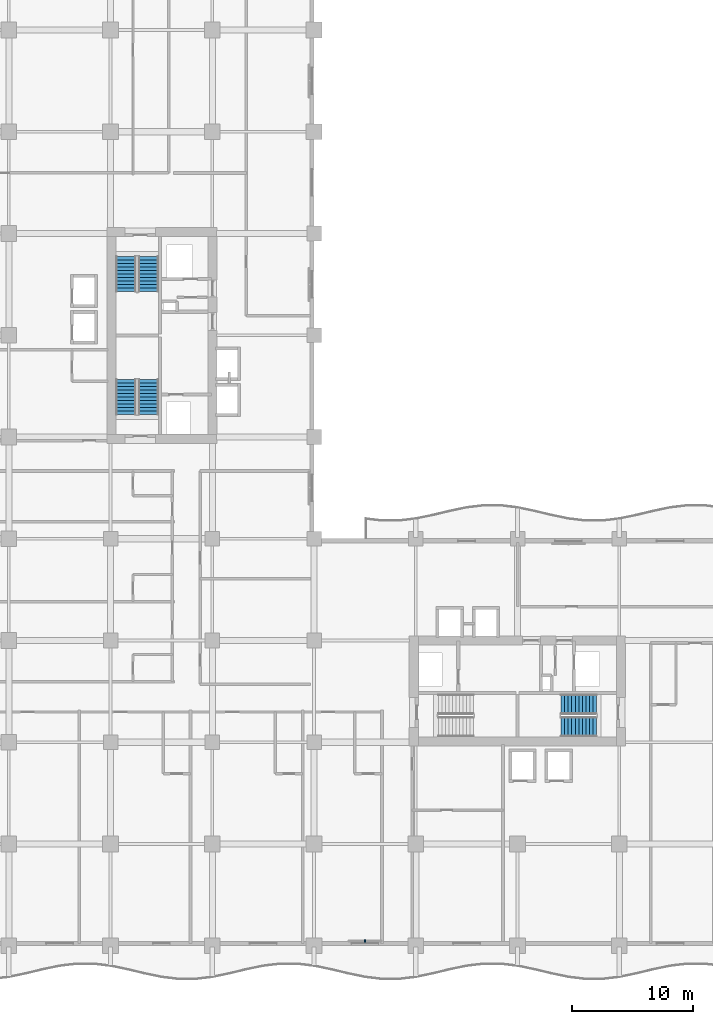
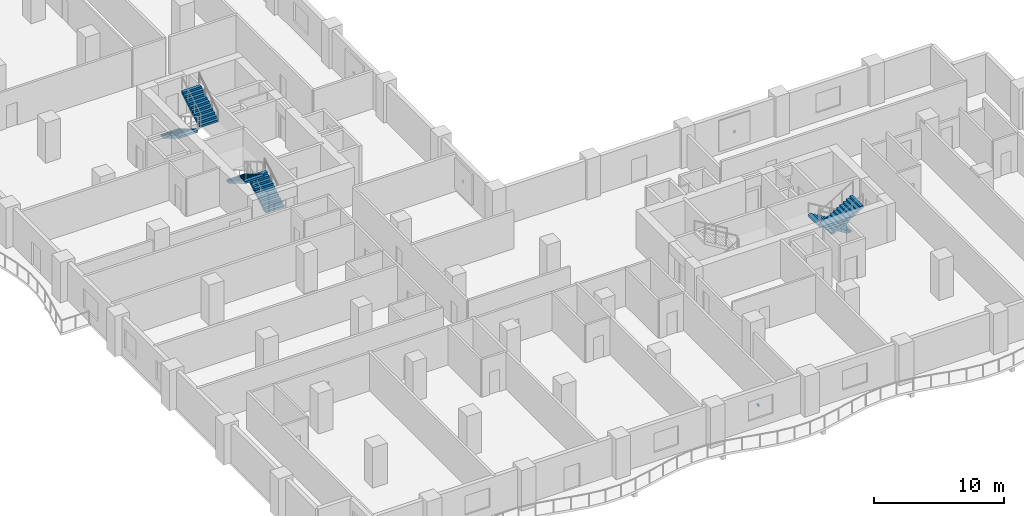
# One storey, part 12 of 18: 6 stair flights, 1 discrete accessory, 3 elements without a shape of their own.
"""IFC4 building model written with IfcOpenShell, lengths in metres."""

from ifc_helpers import new_model, si_unit, direction, frame, origin, origin_2d, place, context, subcontext, project, spatial, polyline, rectangle, outline, extrude, material, type_object, element, aggregate, save


model = new_model("IFC4")

# Units and contexts
model_context = context("Model", 3, precision=1e-05, world=origin(), true_north=direction((0.0, 1.0)))
body_context = subcontext(model_context, "Body", "Model", "MODEL_VIEW")
ifc_project = project(units=[si_unit("LENGTHUNIT", "METRE"), si_unit("AREAUNIT", "SQUARE_METRE"), si_unit("VOLUMEUNIT", "CUBIC_METRE"), si_unit("PLANEANGLEUNIT", "RADIAN"), si_unit("MASSUNIT", "GRAM", prefix="KILO")], contexts=[model_context])

# Site, building, storey
site_placement = place(None, origin())
site = spatial("IfcSite", under=ifc_project, at=site_placement, CompositionType="ELEMENT")
building_placement = place(site_placement, origin())
building = spatial("IfcBuilding", under=site, at=building_placement, Name="Koriwani Terraces Tower", CompositionType="ELEMENT")
storey_placement = place(building_placement, frame((0.0, 0.0, 115.199951171875)))
storey = spatial("IfcBuildingStorey", under=building, at=storey_placement, Name="L27", CompositionType="ELEMENT", Elevation=115.199951171875)

# Stair, stair flights
ifc_material_1 = material(Name="Concrete C40/50", Category="concrete")
stair_type = type_object("IfcStairType", Name="STAIR_CORE_DOGLEG_1650", PredefinedType="TWO_STRAIGHT_RUN_STAIR", material=ifc_material_1)
stair_1_placement = place(storey_placement, origin())
stair_1 = element("IfcStair", 1, at=stair_1_placement, inside=storey, type_object=stair_type, Name="L27 West Core Exit Stair 1", PredefinedType="HALF_TURN_STAIR")
stair_flight_type = type_object("IfcStairFlightType", Name="STAIR_FLIGHT_RC_1650", PredefinedType="STRAIGHT", material=ifc_material_1)
stair_flight_1_placement = place(storey_placement, frame((19.925048828125, 43.85009765625, 0.0), z_axis=(0.0, 0.0, 1.0), x_axis=(0.0, 1.0, 0.0)))
stair_flight_1 = element("IfcStairFlight", 2, at=stair_flight_1_placement, type_object=stair_flight_type, Name="ST-W1 flight 1", NumberOfRisers=11, NumberOfTreads=10, PredefinedType="STRAIGHT", RiserHeight=0.172727273, TreadLength=0.29, context=body_context, shape_type="SweptSolid", body=[
    extrude(outline(polyline([(0.0, 0.0), (0.0, 0.172607421875), (0.2900390625, 0.172607421875), (0.2900390625, 0.345458984375), (0.580078125, 0.345458984375), (0.580078125, 0.51806640625), (0.8701171875, 0.51806640625), (0.8701171875, 0.69091796875), (1.159912109375, 0.69091796875), (1.159912109375, 0.863525390625), (1.449951171875, 0.863525390625), (1.449951171875, 1.036376953125), (1.739990234375, 1.036376953125), (1.739990234375, 1.208984375), (2.030029296875, 1.208984375), (2.030029296875, 1.3818359375), (2.320068359375, 1.3818359375), (2.320068359375, 1.554443359375), (2.610107421875, 1.554443359375), (2.610107421875, 1.727294921875), (2.89990234375, 1.727294921875), (2.89990234375, 1.89990234375), (2.89990234375, 1.517822265625), (0.3515625, 0.0), (0.0, 0.0)])), frame((0.0, 0.824951171875, 0.0), z_axis=(0.0, -1.0, 0.0), x_axis=(1.0, 0.0, 0.0)), (0.0, 0.0, 1.0), 1.64990234375),
])
stair_flight_2_placement = place(storey_placement, frame((18.074951171875, 46.75, 1.900146484375), z_axis=(0.0, 0.0, 1.0), x_axis=(0.0, -1.0, 0.0)))
stair_flight_2 = element("IfcStairFlight", 3, at=stair_flight_2_placement, type_object=stair_flight_type, Name="ST-W1 flight 2", NumberOfRisers=11, NumberOfTreads=10, PredefinedType="STRAIGHT", RiserHeight=0.172727273, TreadLength=0.29, context=body_context, shape_type="SweptSolid", body=[
    extrude(outline(polyline([(0.0, 0.0), (0.0, 0.172607421875), (0.2900390625, 0.172607421875), (0.2900390625, 0.345458984375), (0.580078125, 0.345458984375), (0.580078125, 0.51806640625), (0.8701171875, 0.51806640625), (0.8701171875, 0.69091796875), (1.159912109375, 0.69091796875), (1.159912109375, 0.863525390625), (1.449951171875, 0.863525390625), (1.449951171875, 1.036376953125), (1.739990234375, 1.036376953125), (1.739990234375, 1.208984375), (2.030029296875, 1.208984375), (2.030029296875, 1.3818359375), (2.320068359375, 1.3818359375), (2.320068359375, 1.554443359375), (2.610107421875, 1.554443359375), (2.610107421875, 1.727294921875), (2.89990234375, 1.727294921875), (2.89990234375, 1.89990234375), (2.89990234375, 1.517822265625), (0.3515625, 0.0), (0.0, 0.0)])), frame((0.0, 0.824951171875, 0.0), z_axis=(0.0, -1.0, 0.0), x_axis=(1.0, 0.0, 0.0)), (0.0, 0.0, 1.0), 1.64990234375),
])
aggregate(stair_1, [stair_flight_1, stair_flight_2])

stair_2_placement = place(storey_placement, origin())
stair_2 = element("IfcStair", 4, at=stair_2_placement, inside=storey, type_object=stair_type, Name="L27 West Core Exit Stair 2", PredefinedType="HALF_TURN_STAIR")
stair_flight_3_placement = place(storey_placement, frame((18.074951171875, 56.89990234375, 0.0), z_axis=(0.0, 0.0, 1.0), x_axis=(0.0, -1.0, 0.0)))
stair_flight_3 = element("IfcStairFlight", 5, at=stair_flight_3_placement, type_object=stair_flight_type, Name="ST-W2 flight 1", NumberOfRisers=11, NumberOfTreads=10, PredefinedType="STRAIGHT", RiserHeight=0.172727273, TreadLength=0.29, context=body_context, shape_type="SweptSolid", body=[
    extrude(outline(polyline([(0.0, 0.0), (0.0, 0.172607421875), (0.2900390625, 0.172607421875), (0.2900390625, 0.345458984375), (0.580078125, 0.345458984375), (0.580078125, 0.51806640625), (0.8701171875, 0.51806640625), (0.8701171875, 0.69091796875), (1.159912109375, 0.69091796875), (1.159912109375, 0.863525390625), (1.449951171875, 0.863525390625), (1.449951171875, 1.036376953125), (1.739990234375, 1.036376953125), (1.739990234375, 1.208984375), (2.030029296875, 1.208984375), (2.030029296875, 1.3818359375), (2.320068359375, 1.3818359375), (2.320068359375, 1.554443359375), (2.610107421875, 1.554443359375), (2.610107421875, 1.727294921875), (2.89990234375, 1.727294921875), (2.89990234375, 1.89990234375), (2.89990234375, 1.517822265625), (0.3515625, 0.0), (0.0, 0.0)])), frame((0.0, 0.824951171875, 0.0), z_axis=(0.0, -1.0, 0.0), x_axis=(1.0, 0.0, 0.0)), (0.0, 0.0, 1.0), 1.64990234375),
])
stair_flight_4_placement = place(storey_placement, frame((19.925048828125, 54.0, 1.900146484375), z_axis=(0.0, 0.0, 1.0), x_axis=(0.0, 1.0, 0.0)))
stair_flight_4 = element("IfcStairFlight", 6, at=stair_flight_4_placement, type_object=stair_flight_type, Name="ST-W2 flight 2", NumberOfRisers=11, NumberOfTreads=10, PredefinedType="STRAIGHT", RiserHeight=0.172727273, TreadLength=0.29, context=body_context, shape_type="SweptSolid", body=[
    extrude(outline(polyline([(0.0, 0.0), (0.0, 0.172607421875), (0.2900390625, 0.172607421875), (0.2900390625, 0.345458984375), (0.580078125, 0.345458984375), (0.580078125, 0.51806640625), (0.8701171875, 0.51806640625), (0.8701171875, 0.69091796875), (1.159912109375, 0.69091796875), (1.159912109375, 0.863525390625), (1.449951171875, 0.863525390625), (1.449951171875, 1.036376953125), (1.739990234375, 1.036376953125), (1.739990234375, 1.208984375), (2.030029296875, 1.208984375), (2.030029296875, 1.3818359375), (2.320068359375, 1.3818359375), (2.320068359375, 1.554443359375), (2.610107421875, 1.554443359375), (2.610107421875, 1.727294921875), (2.89990234375, 1.727294921875), (2.89990234375, 1.89990234375), (2.89990234375, 1.517822265625), (0.3515625, 0.0), (0.0, 0.0)])), frame((0.0, 0.824951171875, 0.0), z_axis=(0.0, -1.0, 0.0), x_axis=(1.0, 0.0, 0.0)), (0.0, 0.0, 1.0), 1.64990234375),
])
aggregate(stair_2, [stair_flight_3, stair_flight_4])

stair_3_placement = place(storey_placement, origin())
stair_3 = element("IfcStair", 7, at=stair_3_placement, inside=storey, type_object=stair_type, Name="L27 East Core Exit Stair 2", PredefinedType="HALF_TURN_STAIR")
stair_flight_5_placement = place(storey_placement, frame((56.89990234375, 19.925048828125, 0.0), z_axis=(0.0, 0.0, 1.0), x_axis=(-1.0, 0.0, 0.0)))
stair_flight_5 = element("IfcStairFlight", 8, at=stair_flight_5_placement, type_object=stair_flight_type, Name="ST-E2 flight 1", NumberOfRisers=11, NumberOfTreads=10, PredefinedType="STRAIGHT", RiserHeight=0.172727273, TreadLength=0.29, context=body_context, shape_type="SweptSolid", body=[
    extrude(outline(polyline([(0.0, 0.0), (0.0, 0.172607421875), (0.2900390625, 0.172607421875), (0.2900390625, 0.345458984375), (0.580078125, 0.345458984375), (0.580078125, 0.51806640625), (0.8701171875, 0.51806640625), (0.8701171875, 0.69091796875), (1.159912109375, 0.69091796875), (1.159912109375, 0.863525390625), (1.449951171875, 0.863525390625), (1.449951171875, 1.036376953125), (1.739990234375, 1.036376953125), (1.739990234375, 1.208984375), (2.030029296875, 1.208984375), (2.030029296875, 1.3818359375), (2.320068359375, 1.3818359375), (2.320068359375, 1.554443359375), (2.610107421875, 1.554443359375), (2.610107421875, 1.727294921875), (2.89990234375, 1.727294921875), (2.89990234375, 1.89990234375), (2.89990234375, 1.517822265625), (0.3515625, 0.0), (0.0, 0.0)])), frame((0.0, 0.824951171875, 0.0), z_axis=(0.0, -1.0, 0.0), x_axis=(1.0, 0.0, 0.0)), (0.0, 0.0, 1.0), 1.64990234375),
])
stair_flight_6_placement = place(storey_placement, frame((54.0, 18.074951171875, 1.900146484375), z_axis=(0.0, 0.0, 1.0), x_axis=(1.0, 0.0, 0.0)))
stair_flight_6 = element("IfcStairFlight", 9, at=stair_flight_6_placement, type_object=stair_flight_type, Name="ST-E2 flight 2", NumberOfRisers=11, NumberOfTreads=10, PredefinedType="STRAIGHT", RiserHeight=0.172727273, TreadLength=0.29, context=body_context, shape_type="SweptSolid", body=[
    extrude(outline(polyline([(0.0, 0.0), (0.0, 0.172607421875), (0.2900390625, 0.172607421875), (0.2900390625, 0.345458984375), (0.580078125, 0.345458984375), (0.580078125, 0.51806640625), (0.8701171875, 0.51806640625), (0.8701171875, 0.69091796875), (1.159912109375, 0.69091796875), (1.159912109375, 0.863525390625), (1.449951171875, 0.863525390625), (1.449951171875, 1.036376953125), (1.739990234375, 1.036376953125), (1.739990234375, 1.208984375), (2.030029296875, 1.208984375), (2.030029296875, 1.3818359375), (2.320068359375, 1.3818359375), (2.320068359375, 1.554443359375), (2.610107421875, 1.554443359375), (2.610107421875, 1.727294921875), (2.89990234375, 1.727294921875), (2.89990234375, 1.89990234375), (2.89990234375, 1.517822265625), (0.3515625, 0.0), (0.0, 0.0)])), frame((0.0, 0.824951171875, 0.0), z_axis=(0.0, -1.0, 0.0), x_axis=(1.0, 0.0, 0.0)), (0.0, 0.0, 1.0), 1.64990234375),
])
aggregate(stair_3, [stair_flight_5, stair_flight_6])

# Discrete accessory
ifc_material_2 = material(Name="Steel ASTM A572 Grade 50", Category="steel")
discrete_accessory_type = type_object("IfcDiscreteAccessoryType", Name="BAGUETTE_STANDOFF_BRACKET", PredefinedType="BRACKET", material=ifc_material_2)
discrete_accessory_placement = place(storey_placement, frame((37.800048828125, 0.389892578125, 1.68505859375), z_axis=(0.0, 0.0, 1.0), x_axis=(-1.0, 0.0, 0.0)))
element("IfcDiscreteAccessory", 10, at=discrete_accessory_placement, inside=storey, type_object=discrete_accessory_type, Name="L27 Terracotta Baguette Bracket (S-12)", PredefinedType="BRACKET", context=body_context, shape_type="SweptSolid", body=[
    extrude(rectangle(XDim=0.159912109375, YDim=0.199951171875, at=origin_2d()), origin(), (0.0, 0.0, 1.0), 0.179931640625),
])

save(model, "model.ifc")
